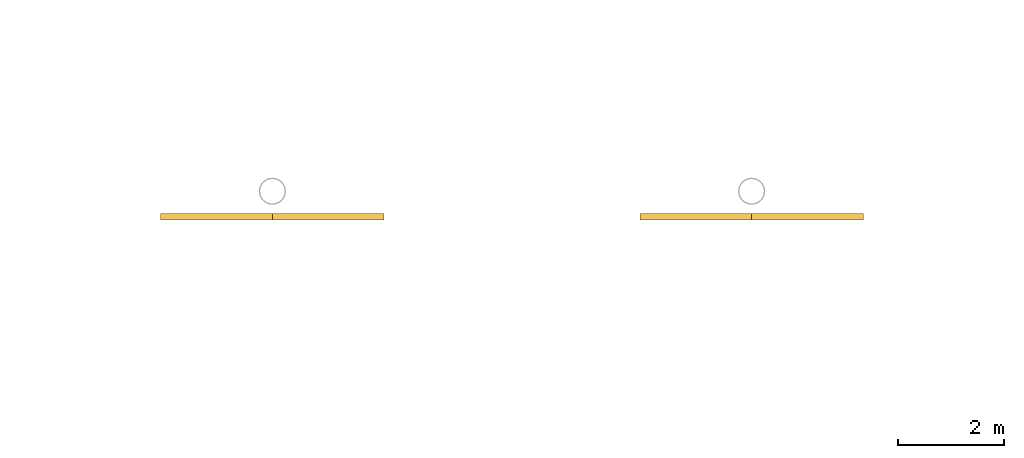
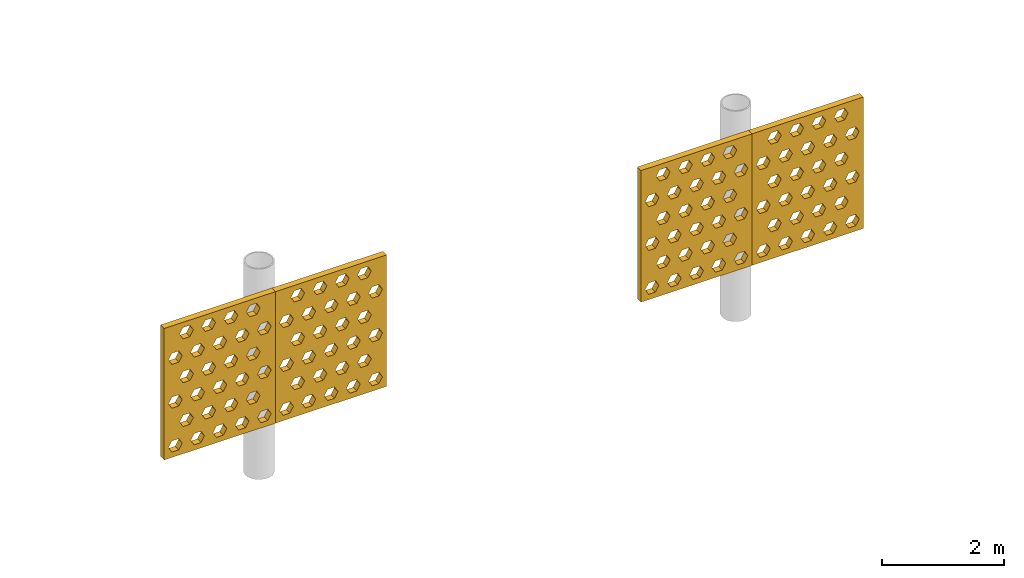
# One storey, part 108 of 123: 4 shading devices.
"""IFC4 building model written with IfcOpenShell, lengths in metres."""

import ifcopenshell
import ifcopenshell.guid

model = None  # the IFC model being written
_history = None  # IfcOwnerHistory: only IFC2X3 demands one
_inside = {}  # id of a spatial element -> (the spatial element, [elements in it])
_under = {}  # id of a project, library or spatial element -> (it, [spatial elements below it])
_declared = {}  # id of a project -> (the project, [libraries it declares])
_typed = {}  # id of a type object -> (the type object, [elements of that type])
_made_of = {}  # id of a material, layer set ... -> (it, [elements and type objects made of it])


def new_model(schema):
    """Start an empty IFC model of exactly this schema.

    Asked for "IFC4X3", IfcOpenShell would pick the latest addendum, in which some entities
    have other attributes; the version numbers below select the first issue.
    IFC2X3 requires an IfcOwnerHistory on every rooted entity: one is made here for all.
    """
    global model, _history
    if schema == "IFC4X3":
        model = ifcopenshell.file(schema_version=(4, 3, 0, 0))
    else:
        model = ifcopenshell.file(schema=schema)
    _inside.clear()
    _under.clear()
    _declared.clear()
    _typed.clear()
    _made_of.clear()
    _history = None
    if model.schema == "IFC2X3":
        org = make("IfcOrganization", Name="unknown")
        user = make(
            "IfcPersonAndOrganization",
            ThePerson=make("IfcPerson", FamilyName="unknown"),
            TheOrganization=org,
        )
        app = make(
            "IfcApplication",
            ApplicationDeveloper=org,
            Version="unknown",
            ApplicationFullName="unknown",
            ApplicationIdentifier="unknown",
        )
        _history = make(
            "IfcOwnerHistory",
            OwningUser=user,
            OwningApplication=app,
            ChangeAction="ADDED",
            CreationDate=0,
        )
    return model


def make(cls, **values):
    """One entity of the class cls with the attributes given. An attribute that is None is left unset."""
    return model.create_entity(
        cls, **{name: value for name, value in values.items() if value is not None}
    )


def rooted(cls, **values):
    """An entity with a GlobalId (a new one), such as an element, a storey or a relation."""
    return make(cls, GlobalId=ifcopenshell.guid.new(), OwnerHistory=_history, **values)


def si_unit(unit_type, name, prefix=None):
    """IfcSIUnit, for example si_unit("LENGTHUNIT", "METRE", prefix="MILLI")."""
    return make("IfcSIUnit", UnitType=unit_type, Prefix=prefix, Name=name)


def assignment(units):
    """IfcUnitAssignment: the units of a project."""
    return None if units is None else make("IfcUnitAssignment", Units=units)


def point(xyz):
    """IfcCartesianPoint."""
    return None if xyz is None else make("IfcCartesianPoint", Coordinates=xyz)


def direction(xyz):
    """IfcDirection."""
    return None if xyz is None else make("IfcDirection", DirectionRatios=xyz)


def frame(location, z_axis=None, x_axis=None):
    """IfcAxis2Placement3D, a coordinate frame: its origin and axes. An axis left out is left unset."""
    return make(
        "IfcAxis2Placement3D",
        Location=point(location),
        Axis=direction(z_axis),
        RefDirection=direction(x_axis),
    )


def origin():
    """The frame at (0, 0, 0) with its axes left unset."""
    return frame((0.0, 0.0, 0.0))


def place(relative_to, where):
    """IfcLocalPlacement: puts the frame where relative to a parent placement (None: the world)."""
    return make(
        "IfcLocalPlacement", PlacementRelTo=relative_to, RelativePlacement=where
    )


def context(
    kind, dimensions, precision=None, world=None, true_north=None, identifier=None
):
    """IfcGeometricRepresentationContext, for example the 3D "Model" context."""
    return make(
        "IfcGeometricRepresentationContext",
        ContextIdentifier=identifier,
        ContextType=kind,
        CoordinateSpaceDimension=dimensions,
        Precision=precision,
        WorldCoordinateSystem=world,
        TrueNorth=true_north,
    )


def subcontext(parent, identifier, kind, view, scale=None):
    """IfcGeometricRepresentationSubContext, for example "Body" below "Model"."""
    return make(
        "IfcGeometricRepresentationSubContext",
        ContextIdentifier=identifier,
        ContextType=kind,
        ParentContext=parent,
        TargetScale=scale,
        TargetView=view,
    )


def project(units=None, contexts=None):
    """IfcProject with its units and contexts."""
    return rooted(
        "IfcProject",
        Name="project",
        RepresentationContexts=contexts,
        UnitsInContext=assignment(units),
    )


def spatial(cls, under=None, at=None, **own):
    """A site, building, storey or space (cls), placed at a placement, below another one or the project."""
    s = rooted(cls, ObjectPlacement=at, **own)
    if under is not None:
        _under.setdefault(under.id(), (under, []))[1].append(s)
    return s


def polyline(points):
    """IfcPolyline through the points."""
    return make("IfcPolyline", Points=[point(p) for p in points])


def outline(outer, holes=None, kind="AREA"):
    """IfcArbitraryClosedProfileDef: a profile drawn as a closed curve; with holes, ...WithVoids."""
    if holes is None:
        return make("IfcArbitraryClosedProfileDef", ProfileType=kind, OuterCurve=outer)
    return make(
        "IfcArbitraryProfileDefWithVoids",
        ProfileType=kind,
        OuterCurve=outer,
        InnerCurves=holes,
    )


def extrude(swept, where, along, depth):
    """IfcExtrudedAreaSolid: the profile swept, set in the frame where, extruded along a direction by depth."""
    return make(
        "IfcExtrudedAreaSolid",
        SweptArea=swept,
        Position=where,
        ExtrudedDirection=direction(along),
        Depth=depth,
    )


def shape(context_of_items, identifier, shape_type, items):
    """IfcShapeRepresentation: the items that make up one representation, for example the "Body"."""
    return make(
        "IfcShapeRepresentation",
        ContextOfItems=context_of_items,
        RepresentationIdentifier=identifier,
        RepresentationType=shape_type,
        Items=items,
    )


def material(Name=None, Category=None):
    """IfcMaterial."""
    return make("IfcMaterial", Name=Name, Category=Category)


def layer(
    of_material, thickness, ventilated=None, Name=None, Category=None, Priority=None
):
    """IfcMaterialLayer: one layer of a wall or slab, of a material (None: an air gap)."""
    return make(
        "IfcMaterialLayer",
        Material=of_material,
        LayerThickness=thickness,
        IsVentilated=ventilated,
        Name=Name,
        Category=Category,
        Priority=Priority,
    )


def layer_set(layers, Name=None):
    """IfcMaterialLayerSet."""
    return make("IfcMaterialLayerSet", MaterialLayers=layers, LayerSetName=Name)


def made_of(thing, what):
    """Note that an element or type object is made of a material, layer set ...; save() writes the relation."""
    if what is not None:
        _made_of.setdefault(what.id(), (what, []))[1].append(thing)
    return thing


def type_object(cls, material=None, **own):
    """A type object (cls), such as IfcWallType, which elements share."""
    return made_of(rooted(cls, **own), material)


def element(
    cls,
    number,
    at=None,
    inside=None,
    cuts=None,
    type_object=None,
    material=None,
    context=None,
    identifier="Body",
    shape_type=None,
    held_by="IfcProductDefinitionShape",
    body=None,
    shapes=None,
    **own,
):
    """One element of the class cls, such as IfcWall. Its Tag is "e" and its number.

    at: its placement. inside: the storey or other place that contains it. cuts: it is an
    opening in that element (IfcRelVoidsElement). A single representation is given by context,
    identifier, shape_type and body (its items); several are given by shapes. held_by: the class
    of the entity that holds the representations. save() writes the other relations.
    """
    e = rooted(cls, Tag="e%d" % number, ObjectPlacement=at, **own)
    if body is not None:
        shapes = [shape(context, identifier, shape_type, body)]
    if shapes is not None:
        e.Representation = make(held_by, Representations=shapes)
    if inside is not None:
        _inside.setdefault(inside.id(), (inside, []))[1].append(e)
    if cuts is not None:
        rooted(
            "IfcRelVoidsElement", RelatingBuildingElement=cuts, RelatedOpeningElement=e
        )
    if type_object is not None:
        _typed.setdefault(type_object.id(), (type_object, []))[1].append(e)
    return made_of(e, material)


def aggregate(whole, parts):
    """IfcRelAggregates: a whole, such as a stair, and the parts it consists of."""
    return rooted("IfcRelAggregates", RelatingObject=whole, RelatedObjects=parts)


def save(model, path):
    """Write the relations noted so far, then the file.

    IfcRelAggregates (storeys below a building ...), IfcRelContainedInSpatialStructure (elements
    in a storey), IfcRelDefinesByType, IfcRelAssociatesMaterial and IfcRelDeclares: one each for
    every whole, place, type object, material and project.
    """
    for whole, parts in _under.values():
        aggregate(whole, parts)
    for where, things in _inside.values():
        rooted(
            "IfcRelContainedInSpatialStructure",
            RelatedElements=things,
            RelatingStructure=where,
        )
    for kind, things in _typed.values():
        rooted("IfcRelDefinesByType", RelatedObjects=things, RelatingType=kind)
    for what, things in _made_of.values():
        rooted("IfcRelAssociatesMaterial", RelatedObjects=things, RelatingMaterial=what)
    for by, libraries in _declared.values():
        rooted("IfcRelDeclares", RelatingContext=by, RelatedDefinitions=libraries)
    model.write(path)


model = new_model("IFC4")

# Units and contexts
model_context = context("Model", 3, precision=1e-05, world=origin(), true_north=direction((0.0, 1.0)))
body_context = subcontext(model_context, "Body", "Model", "MODEL_VIEW")
ifc_project = project(units=[si_unit("LENGTHUNIT", "METRE"), si_unit("AREAUNIT", "SQUARE_METRE"), si_unit("VOLUMEUNIT", "CUBIC_METRE"), si_unit("PLANEANGLEUNIT", "RADIAN"), si_unit("MASSUNIT", "GRAM", prefix="KILO")], contexts=[model_context])

# Site, building, storey
site_placement = place(None, origin())
site = spatial("IfcSite", under=ifc_project, at=site_placement, CompositionType="ELEMENT")
building_placement = place(site_placement, origin())
building = spatial("IfcBuilding", under=site, at=building_placement, Name="Baradari Gate Terminus", CompositionType="ELEMENT")
storey_placement = place(building_placement, frame((0.0, 0.0, 7.5)))
storey = spatial("IfcBuildingStorey", under=building, at=storey_placement, Name="L01", CompositionType="ELEMENT", Elevation=7.5)

# Shading devices
ifc_material = material(Name="Concrete C50/60 precast", Category="concrete")
ifc_layer = layer(ifc_material, 0.1201171875)
ifc_layer_set = layer_set([ifc_layer], Name="Concrete C50/60 precast")
shading_device_type = type_object("IfcShadingDeviceType", Name="Jali screen panel JS-2 120", PredefinedType="SHUTTER", material=ifc_layer_set)
shading_device_1_placement = place(storey_placement, frame((204.89990234375, 35.52001953125, 1.27490234375), z_axis=(0.0, 0.0, 1.0), x_axis=(1.0, 0.0, 0.0)))
element("IfcShadingDevice", 1, at=shading_device_1_placement, inside=storey, type_object=shading_device_type, Name="Jali screen panel JS-2 SC05c row 4 panel 1", PredefinedType="SHUTTER", context=body_context, shape_type="SweptSolid", body=[
    extrude(outline(polyline([(0.0, 0.0), (2.10009765625, 0.0), (2.10009765625, 2.625), (0.0, 2.625), (0.0, 0.0)]), holes=[polyline([(0.340087890625, 0.21875), (0.27490234375, 0.106201171875), (0.14501953125, 0.106201171875), (0.080078125, 0.21875), (0.14501953125, 0.33154296875), (0.27490234375, 0.33154296875), (0.340087890625, 0.21875)]), polyline([(0.760009765625, 0.21875), (0.695068359375, 0.106201171875), (0.56494140625, 0.106201171875), (0.5, 0.21875), (0.56494140625, 0.33154296875), (0.695068359375, 0.33154296875), (0.760009765625, 0.21875)]), polyline([(1.179931640625, 0.21875), (1.114990234375, 0.106201171875), (0.985107421875, 0.106201171875), (0.919921875, 0.21875), (0.985107421875, 0.33154296875), (1.114990234375, 0.33154296875), (1.179931640625, 0.21875)]), polyline([(1.60009765625, 0.21875), (1.534912109375, 0.106201171875), (1.405029296875, 0.106201171875), (1.340087890625, 0.21875), (1.405029296875, 0.33154296875), (1.534912109375, 0.33154296875), (1.60009765625, 0.21875)]), polyline([(2.02001953125, 0.21875), (1.955078125, 0.106201171875), (1.824951171875, 0.106201171875), (1.760009765625, 0.21875), (1.824951171875, 0.33154296875), (1.955078125, 0.33154296875), (2.02001953125, 0.21875)]), polyline([(0.550048828125, 0.65625), (0.485107421875, 0.543701171875), (0.35498046875, 0.543701171875), (0.2900390625, 0.65625), (0.35498046875, 0.76904296875), (0.485107421875, 0.76904296875), (0.550048828125, 0.65625)]), polyline([(0.969970703125, 0.65625), (0.905029296875, 0.543701171875), (0.77490234375, 0.543701171875), (0.7099609375, 0.65625), (0.77490234375, 0.76904296875), (0.905029296875, 0.76904296875), (0.969970703125, 0.65625)]), polyline([(1.389892578125, 0.65625), (1.324951171875, 0.543701171875), (1.195068359375, 0.543701171875), (1.1298828125, 0.65625), (1.195068359375, 0.76904296875), (1.324951171875, 0.76904296875), (1.389892578125, 0.65625)]), polyline([(1.81005859375, 0.65625), (1.7451171875, 0.543701171875), (1.614990234375, 0.543701171875), (1.550048828125, 0.65625), (1.614990234375, 0.76904296875), (1.7451171875, 0.76904296875), (1.81005859375, 0.65625)]), polyline([(0.340087890625, 1.09375), (0.27490234375, 0.981201171875), (0.14501953125, 0.981201171875), (0.080078125, 1.09375), (0.14501953125, 1.20654296875), (0.27490234375, 1.20654296875), (0.340087890625, 1.09375)]), polyline([(0.760009765625, 1.09375), (0.695068359375, 0.981201171875), (0.56494140625, 0.981201171875), (0.5, 1.09375), (0.56494140625, 1.20654296875), (0.695068359375, 1.20654296875), (0.760009765625, 1.09375)]), polyline([(1.179931640625, 1.09375), (1.114990234375, 0.981201171875), (0.985107421875, 0.981201171875), (0.919921875, 1.09375), (0.985107421875, 1.20654296875), (1.114990234375, 1.20654296875), (1.179931640625, 1.09375)]), polyline([(1.60009765625, 1.09375), (1.534912109375, 0.981201171875), (1.405029296875, 0.981201171875), (1.340087890625, 1.09375), (1.405029296875, 1.20654296875), (1.534912109375, 1.20654296875), (1.60009765625, 1.09375)]), polyline([(2.02001953125, 1.09375), (1.955078125, 0.981201171875), (1.824951171875, 0.981201171875), (1.760009765625, 1.09375), (1.824951171875, 1.20654296875), (1.955078125, 1.20654296875), (2.02001953125, 1.09375)]), polyline([(0.550048828125, 1.53125), (0.485107421875, 1.418701171875), (0.35498046875, 1.418701171875), (0.2900390625, 1.53125), (0.35498046875, 1.64404296875), (0.485107421875, 1.64404296875), (0.550048828125, 1.53125)]), polyline([(0.969970703125, 1.53125), (0.905029296875, 1.418701171875), (0.77490234375, 1.418701171875), (0.7099609375, 1.53125), (0.77490234375, 1.64404296875), (0.905029296875, 1.64404296875), (0.969970703125, 1.53125)]), polyline([(1.389892578125, 1.53125), (1.324951171875, 1.418701171875), (1.195068359375, 1.418701171875), (1.1298828125, 1.53125), (1.195068359375, 1.64404296875), (1.324951171875, 1.64404296875), (1.389892578125, 1.53125)]), polyline([(1.81005859375, 1.53125), (1.7451171875, 1.418701171875), (1.614990234375, 1.418701171875), (1.550048828125, 1.53125), (1.614990234375, 1.64404296875), (1.7451171875, 1.64404296875), (1.81005859375, 1.53125)]), polyline([(0.340087890625, 1.96875), (0.27490234375, 1.856201171875), (0.14501953125, 1.856201171875), (0.080078125, 1.96875), (0.14501953125, 2.08154296875), (0.27490234375, 2.08154296875), (0.340087890625, 1.96875)]), polyline([(0.760009765625, 1.96875), (0.695068359375, 1.856201171875), (0.56494140625, 1.856201171875), (0.5, 1.96875), (0.56494140625, 2.08154296875), (0.695068359375, 2.08154296875), (0.760009765625, 1.96875)]), polyline([(1.179931640625, 1.96875), (1.114990234375, 1.856201171875), (0.985107421875, 1.856201171875), (0.919921875, 1.96875), (0.985107421875, 2.08154296875), (1.114990234375, 2.08154296875), (1.179931640625, 1.96875)]), polyline([(1.60009765625, 1.96875), (1.534912109375, 1.856201171875), (1.405029296875, 1.856201171875), (1.340087890625, 1.96875), (1.405029296875, 2.08154296875), (1.534912109375, 2.08154296875), (1.60009765625, 1.96875)]), polyline([(2.02001953125, 1.96875), (1.955078125, 1.856201171875), (1.824951171875, 1.856201171875), (1.760009765625, 1.96875), (1.824951171875, 2.08154296875), (1.955078125, 2.08154296875), (2.02001953125, 1.96875)]), polyline([(0.550048828125, 2.40625), (0.485107421875, 2.293701171875), (0.35498046875, 2.293701171875), (0.2900390625, 2.40625), (0.35498046875, 2.51904296875), (0.485107421875, 2.51904296875), (0.550048828125, 2.40625)]), polyline([(0.969970703125, 2.40625), (0.905029296875, 2.293701171875), (0.77490234375, 2.293701171875), (0.7099609375, 2.40625), (0.77490234375, 2.51904296875), (0.905029296875, 2.51904296875), (0.969970703125, 2.40625)]), polyline([(1.389892578125, 2.40625), (1.324951171875, 2.293701171875), (1.195068359375, 2.293701171875), (1.1298828125, 2.40625), (1.195068359375, 2.51904296875), (1.324951171875, 2.51904296875), (1.389892578125, 2.40625)]), polyline([(1.81005859375, 2.40625), (1.7451171875, 2.293701171875), (1.614990234375, 2.293701171875), (1.550048828125, 2.40625), (1.614990234375, 2.51904296875), (1.7451171875, 2.51904296875), (1.81005859375, 2.40625)])]), frame((0.0, 0.06005859375, 0.0), z_axis=(0.0, -1.0, 0.0), x_axis=(1.0, 0.0, 0.0)), (0.0, 0.0, 1.0), 0.1201171875),
])
shading_device_2_placement = place(storey_placement, frame((207.0, 35.52001953125, 1.27490234375), z_axis=(0.0, 0.0, 1.0), x_axis=(1.0, 0.0, 0.0)))
element("IfcShadingDevice", 2, at=shading_device_2_placement, inside=storey, type_object=shading_device_type, Name="Jali screen panel JS-2 SC06a row 4 panel 1", PredefinedType="SHUTTER", context=body_context, shape_type="SweptSolid", body=[
    extrude(outline(polyline([(0.0, 0.0), (2.10009765625, 0.0), (2.10009765625, 2.625), (0.0, 2.625), (0.0, 0.0)]), holes=[polyline([(0.340087890625, 0.21875), (0.27490234375, 0.106201171875), (0.14501953125, 0.106201171875), (0.080078125, 0.21875), (0.14501953125, 0.33154296875), (0.27490234375, 0.33154296875), (0.340087890625, 0.21875)]), polyline([(0.760009765625, 0.21875), (0.695068359375, 0.106201171875), (0.56494140625, 0.106201171875), (0.5, 0.21875), (0.56494140625, 0.33154296875), (0.695068359375, 0.33154296875), (0.760009765625, 0.21875)]), polyline([(1.179931640625, 0.21875), (1.114990234375, 0.106201171875), (0.985107421875, 0.106201171875), (0.919921875, 0.21875), (0.985107421875, 0.33154296875), (1.114990234375, 0.33154296875), (1.179931640625, 0.21875)]), polyline([(1.60009765625, 0.21875), (1.534912109375, 0.106201171875), (1.405029296875, 0.106201171875), (1.340087890625, 0.21875), (1.405029296875, 0.33154296875), (1.534912109375, 0.33154296875), (1.60009765625, 0.21875)]), polyline([(2.02001953125, 0.21875), (1.955078125, 0.106201171875), (1.824951171875, 0.106201171875), (1.760009765625, 0.21875), (1.824951171875, 0.33154296875), (1.955078125, 0.33154296875), (2.02001953125, 0.21875)]), polyline([(0.550048828125, 0.65625), (0.485107421875, 0.543701171875), (0.35498046875, 0.543701171875), (0.2900390625, 0.65625), (0.35498046875, 0.76904296875), (0.485107421875, 0.76904296875), (0.550048828125, 0.65625)]), polyline([(0.969970703125, 0.65625), (0.905029296875, 0.543701171875), (0.77490234375, 0.543701171875), (0.7099609375, 0.65625), (0.77490234375, 0.76904296875), (0.905029296875, 0.76904296875), (0.969970703125, 0.65625)]), polyline([(1.389892578125, 0.65625), (1.324951171875, 0.543701171875), (1.195068359375, 0.543701171875), (1.1298828125, 0.65625), (1.195068359375, 0.76904296875), (1.324951171875, 0.76904296875), (1.389892578125, 0.65625)]), polyline([(1.81005859375, 0.65625), (1.7451171875, 0.543701171875), (1.614990234375, 0.543701171875), (1.550048828125, 0.65625), (1.614990234375, 0.76904296875), (1.7451171875, 0.76904296875), (1.81005859375, 0.65625)]), polyline([(0.340087890625, 1.09375), (0.27490234375, 0.981201171875), (0.14501953125, 0.981201171875), (0.080078125, 1.09375), (0.14501953125, 1.20654296875), (0.27490234375, 1.20654296875), (0.340087890625, 1.09375)]), polyline([(0.760009765625, 1.09375), (0.695068359375, 0.981201171875), (0.56494140625, 0.981201171875), (0.5, 1.09375), (0.56494140625, 1.20654296875), (0.695068359375, 1.20654296875), (0.760009765625, 1.09375)]), polyline([(1.179931640625, 1.09375), (1.114990234375, 0.981201171875), (0.985107421875, 0.981201171875), (0.919921875, 1.09375), (0.985107421875, 1.20654296875), (1.114990234375, 1.20654296875), (1.179931640625, 1.09375)]), polyline([(1.60009765625, 1.09375), (1.534912109375, 0.981201171875), (1.405029296875, 0.981201171875), (1.340087890625, 1.09375), (1.405029296875, 1.20654296875), (1.534912109375, 1.20654296875), (1.60009765625, 1.09375)]), polyline([(2.02001953125, 1.09375), (1.955078125, 0.981201171875), (1.824951171875, 0.981201171875), (1.760009765625, 1.09375), (1.824951171875, 1.20654296875), (1.955078125, 1.20654296875), (2.02001953125, 1.09375)]), polyline([(0.550048828125, 1.53125), (0.485107421875, 1.418701171875), (0.35498046875, 1.418701171875), (0.2900390625, 1.53125), (0.35498046875, 1.64404296875), (0.485107421875, 1.64404296875), (0.550048828125, 1.53125)]), polyline([(0.969970703125, 1.53125), (0.905029296875, 1.418701171875), (0.77490234375, 1.418701171875), (0.7099609375, 1.53125), (0.77490234375, 1.64404296875), (0.905029296875, 1.64404296875), (0.969970703125, 1.53125)]), polyline([(1.389892578125, 1.53125), (1.324951171875, 1.418701171875), (1.195068359375, 1.418701171875), (1.1298828125, 1.53125), (1.195068359375, 1.64404296875), (1.324951171875, 1.64404296875), (1.389892578125, 1.53125)]), polyline([(1.81005859375, 1.53125), (1.7451171875, 1.418701171875), (1.614990234375, 1.418701171875), (1.550048828125, 1.53125), (1.614990234375, 1.64404296875), (1.7451171875, 1.64404296875), (1.81005859375, 1.53125)]), polyline([(0.340087890625, 1.96875), (0.27490234375, 1.856201171875), (0.14501953125, 1.856201171875), (0.080078125, 1.96875), (0.14501953125, 2.08154296875), (0.27490234375, 2.08154296875), (0.340087890625, 1.96875)]), polyline([(0.760009765625, 1.96875), (0.695068359375, 1.856201171875), (0.56494140625, 1.856201171875), (0.5, 1.96875), (0.56494140625, 2.08154296875), (0.695068359375, 2.08154296875), (0.760009765625, 1.96875)]), polyline([(1.179931640625, 1.96875), (1.114990234375, 1.856201171875), (0.985107421875, 1.856201171875), (0.919921875, 1.96875), (0.985107421875, 2.08154296875), (1.114990234375, 2.08154296875), (1.179931640625, 1.96875)]), polyline([(1.60009765625, 1.96875), (1.534912109375, 1.856201171875), (1.405029296875, 1.856201171875), (1.340087890625, 1.96875), (1.405029296875, 2.08154296875), (1.534912109375, 2.08154296875), (1.60009765625, 1.96875)]), polyline([(2.02001953125, 1.96875), (1.955078125, 1.856201171875), (1.824951171875, 1.856201171875), (1.760009765625, 1.96875), (1.824951171875, 2.08154296875), (1.955078125, 2.08154296875), (2.02001953125, 1.96875)]), polyline([(0.550048828125, 2.40625), (0.485107421875, 2.293701171875), (0.35498046875, 2.293701171875), (0.2900390625, 2.40625), (0.35498046875, 2.51904296875), (0.485107421875, 2.51904296875), (0.550048828125, 2.40625)]), polyline([(0.969970703125, 2.40625), (0.905029296875, 2.293701171875), (0.77490234375, 2.293701171875), (0.7099609375, 2.40625), (0.77490234375, 2.51904296875), (0.905029296875, 2.51904296875), (0.969970703125, 2.40625)]), polyline([(1.389892578125, 2.40625), (1.324951171875, 2.293701171875), (1.195068359375, 2.293701171875), (1.1298828125, 2.40625), (1.195068359375, 2.51904296875), (1.324951171875, 2.51904296875), (1.389892578125, 2.40625)]), polyline([(1.81005859375, 2.40625), (1.7451171875, 2.293701171875), (1.614990234375, 2.293701171875), (1.550048828125, 2.40625), (1.614990234375, 2.51904296875), (1.7451171875, 2.51904296875), (1.81005859375, 2.40625)])]), frame((0.0, 0.06005859375, 0.0), z_axis=(0.0, -1.0, 0.0), x_axis=(1.0, 0.0, 0.0)), (0.0, 0.0, 1.0), 0.1201171875),
])
shading_device_3_placement = place(storey_placement, frame((213.89990234375, 35.52001953125, 1.27490234375), z_axis=(0.0, 0.0, 1.0), x_axis=(1.0, 0.0, 0.0)))
element("IfcShadingDevice", 3, at=shading_device_3_placement, inside=storey, type_object=shading_device_type, Name="Jali screen panel JS-2 SC06c row 4 panel 1", PredefinedType="SHUTTER", context=body_context, shape_type="SweptSolid", body=[
    extrude(outline(polyline([(0.0, 0.0), (2.10009765625, 0.0), (2.10009765625, 2.625), (0.0, 2.625), (0.0, 0.0)]), holes=[polyline([(0.340087890625, 0.21875), (0.27490234375, 0.106201171875), (0.14501953125, 0.106201171875), (0.080078125, 0.21875), (0.14501953125, 0.33154296875), (0.27490234375, 0.33154296875), (0.340087890625, 0.21875)]), polyline([(0.760009765625, 0.21875), (0.695068359375, 0.106201171875), (0.56494140625, 0.106201171875), (0.5, 0.21875), (0.56494140625, 0.33154296875), (0.695068359375, 0.33154296875), (0.760009765625, 0.21875)]), polyline([(1.179931640625, 0.21875), (1.114990234375, 0.106201171875), (0.985107421875, 0.106201171875), (0.919921875, 0.21875), (0.985107421875, 0.33154296875), (1.114990234375, 0.33154296875), (1.179931640625, 0.21875)]), polyline([(1.60009765625, 0.21875), (1.534912109375, 0.106201171875), (1.405029296875, 0.106201171875), (1.340087890625, 0.21875), (1.405029296875, 0.33154296875), (1.534912109375, 0.33154296875), (1.60009765625, 0.21875)]), polyline([(2.02001953125, 0.21875), (1.955078125, 0.106201171875), (1.824951171875, 0.106201171875), (1.760009765625, 0.21875), (1.824951171875, 0.33154296875), (1.955078125, 0.33154296875), (2.02001953125, 0.21875)]), polyline([(0.550048828125, 0.65625), (0.485107421875, 0.543701171875), (0.35498046875, 0.543701171875), (0.2900390625, 0.65625), (0.35498046875, 0.76904296875), (0.485107421875, 0.76904296875), (0.550048828125, 0.65625)]), polyline([(0.969970703125, 0.65625), (0.905029296875, 0.543701171875), (0.77490234375, 0.543701171875), (0.7099609375, 0.65625), (0.77490234375, 0.76904296875), (0.905029296875, 0.76904296875), (0.969970703125, 0.65625)]), polyline([(1.389892578125, 0.65625), (1.324951171875, 0.543701171875), (1.195068359375, 0.543701171875), (1.1298828125, 0.65625), (1.195068359375, 0.76904296875), (1.324951171875, 0.76904296875), (1.389892578125, 0.65625)]), polyline([(1.81005859375, 0.65625), (1.7451171875, 0.543701171875), (1.614990234375, 0.543701171875), (1.550048828125, 0.65625), (1.614990234375, 0.76904296875), (1.7451171875, 0.76904296875), (1.81005859375, 0.65625)]), polyline([(0.340087890625, 1.09375), (0.27490234375, 0.981201171875), (0.14501953125, 0.981201171875), (0.080078125, 1.09375), (0.14501953125, 1.20654296875), (0.27490234375, 1.20654296875), (0.340087890625, 1.09375)]), polyline([(0.760009765625, 1.09375), (0.695068359375, 0.981201171875), (0.56494140625, 0.981201171875), (0.5, 1.09375), (0.56494140625, 1.20654296875), (0.695068359375, 1.20654296875), (0.760009765625, 1.09375)]), polyline([(1.179931640625, 1.09375), (1.114990234375, 0.981201171875), (0.985107421875, 0.981201171875), (0.919921875, 1.09375), (0.985107421875, 1.20654296875), (1.114990234375, 1.20654296875), (1.179931640625, 1.09375)]), polyline([(1.60009765625, 1.09375), (1.534912109375, 0.981201171875), (1.405029296875, 0.981201171875), (1.340087890625, 1.09375), (1.405029296875, 1.20654296875), (1.534912109375, 1.20654296875), (1.60009765625, 1.09375)]), polyline([(2.02001953125, 1.09375), (1.955078125, 0.981201171875), (1.824951171875, 0.981201171875), (1.760009765625, 1.09375), (1.824951171875, 1.20654296875), (1.955078125, 1.20654296875), (2.02001953125, 1.09375)]), polyline([(0.550048828125, 1.53125), (0.485107421875, 1.418701171875), (0.35498046875, 1.418701171875), (0.2900390625, 1.53125), (0.35498046875, 1.64404296875), (0.485107421875, 1.64404296875), (0.550048828125, 1.53125)]), polyline([(0.969970703125, 1.53125), (0.905029296875, 1.418701171875), (0.77490234375, 1.418701171875), (0.7099609375, 1.53125), (0.77490234375, 1.64404296875), (0.905029296875, 1.64404296875), (0.969970703125, 1.53125)]), polyline([(1.389892578125, 1.53125), (1.324951171875, 1.418701171875), (1.195068359375, 1.418701171875), (1.1298828125, 1.53125), (1.195068359375, 1.64404296875), (1.324951171875, 1.64404296875), (1.389892578125, 1.53125)]), polyline([(1.81005859375, 1.53125), (1.7451171875, 1.418701171875), (1.614990234375, 1.418701171875), (1.550048828125, 1.53125), (1.614990234375, 1.64404296875), (1.7451171875, 1.64404296875), (1.81005859375, 1.53125)]), polyline([(0.340087890625, 1.96875), (0.27490234375, 1.856201171875), (0.14501953125, 1.856201171875), (0.080078125, 1.96875), (0.14501953125, 2.08154296875), (0.27490234375, 2.08154296875), (0.340087890625, 1.96875)]), polyline([(0.760009765625, 1.96875), (0.695068359375, 1.856201171875), (0.56494140625, 1.856201171875), (0.5, 1.96875), (0.56494140625, 2.08154296875), (0.695068359375, 2.08154296875), (0.760009765625, 1.96875)]), polyline([(1.179931640625, 1.96875), (1.114990234375, 1.856201171875), (0.985107421875, 1.856201171875), (0.919921875, 1.96875), (0.985107421875, 2.08154296875), (1.114990234375, 2.08154296875), (1.179931640625, 1.96875)]), polyline([(1.60009765625, 1.96875), (1.534912109375, 1.856201171875), (1.405029296875, 1.856201171875), (1.340087890625, 1.96875), (1.405029296875, 2.08154296875), (1.534912109375, 2.08154296875), (1.60009765625, 1.96875)]), polyline([(2.02001953125, 1.96875), (1.955078125, 1.856201171875), (1.824951171875, 1.856201171875), (1.760009765625, 1.96875), (1.824951171875, 2.08154296875), (1.955078125, 2.08154296875), (2.02001953125, 1.96875)]), polyline([(0.550048828125, 2.40625), (0.485107421875, 2.293701171875), (0.35498046875, 2.293701171875), (0.2900390625, 2.40625), (0.35498046875, 2.51904296875), (0.485107421875, 2.51904296875), (0.550048828125, 2.40625)]), polyline([(0.969970703125, 2.40625), (0.905029296875, 2.293701171875), (0.77490234375, 2.293701171875), (0.7099609375, 2.40625), (0.77490234375, 2.51904296875), (0.905029296875, 2.51904296875), (0.969970703125, 2.40625)]), polyline([(1.389892578125, 2.40625), (1.324951171875, 2.293701171875), (1.195068359375, 2.293701171875), (1.1298828125, 2.40625), (1.195068359375, 2.51904296875), (1.324951171875, 2.51904296875), (1.389892578125, 2.40625)]), polyline([(1.81005859375, 2.40625), (1.7451171875, 2.293701171875), (1.614990234375, 2.293701171875), (1.550048828125, 2.40625), (1.614990234375, 2.51904296875), (1.7451171875, 2.51904296875), (1.81005859375, 2.40625)])]), frame((0.0, 0.06005859375, 0.0), z_axis=(0.0, -1.0, 0.0), x_axis=(1.0, 0.0, 0.0)), (0.0, 0.0, 1.0), 0.1201171875),
])
shading_device_4_placement = place(storey_placement, frame((216.0, 35.52001953125, 1.27490234375), z_axis=(0.0, 0.0, 1.0), x_axis=(1.0, 0.0, 0.0)))
element("IfcShadingDevice", 4, at=shading_device_4_placement, inside=storey, type_object=shading_device_type, Name="Jali screen panel JS-2 SC07a row 4 panel 1", PredefinedType="SHUTTER", context=body_context, shape_type="SweptSolid", body=[
    extrude(outline(polyline([(0.0, 0.0), (2.10009765625, 0.0), (2.10009765625, 2.625), (0.0, 2.625), (0.0, 0.0)]), holes=[polyline([(0.340087890625, 0.21875), (0.27490234375, 0.106201171875), (0.14501953125, 0.106201171875), (0.080078125, 0.21875), (0.14501953125, 0.33154296875), (0.27490234375, 0.33154296875), (0.340087890625, 0.21875)]), polyline([(0.760009765625, 0.21875), (0.695068359375, 0.106201171875), (0.56494140625, 0.106201171875), (0.5, 0.21875), (0.56494140625, 0.33154296875), (0.695068359375, 0.33154296875), (0.760009765625, 0.21875)]), polyline([(1.179931640625, 0.21875), (1.114990234375, 0.106201171875), (0.985107421875, 0.106201171875), (0.919921875, 0.21875), (0.985107421875, 0.33154296875), (1.114990234375, 0.33154296875), (1.179931640625, 0.21875)]), polyline([(1.60009765625, 0.21875), (1.534912109375, 0.106201171875), (1.405029296875, 0.106201171875), (1.340087890625, 0.21875), (1.405029296875, 0.33154296875), (1.534912109375, 0.33154296875), (1.60009765625, 0.21875)]), polyline([(2.02001953125, 0.21875), (1.955078125, 0.106201171875), (1.824951171875, 0.106201171875), (1.760009765625, 0.21875), (1.824951171875, 0.33154296875), (1.955078125, 0.33154296875), (2.02001953125, 0.21875)]), polyline([(0.550048828125, 0.65625), (0.485107421875, 0.543701171875), (0.35498046875, 0.543701171875), (0.2900390625, 0.65625), (0.35498046875, 0.76904296875), (0.485107421875, 0.76904296875), (0.550048828125, 0.65625)]), polyline([(0.969970703125, 0.65625), (0.905029296875, 0.543701171875), (0.77490234375, 0.543701171875), (0.7099609375, 0.65625), (0.77490234375, 0.76904296875), (0.905029296875, 0.76904296875), (0.969970703125, 0.65625)]), polyline([(1.389892578125, 0.65625), (1.324951171875, 0.543701171875), (1.195068359375, 0.543701171875), (1.1298828125, 0.65625), (1.195068359375, 0.76904296875), (1.324951171875, 0.76904296875), (1.389892578125, 0.65625)]), polyline([(1.81005859375, 0.65625), (1.7451171875, 0.543701171875), (1.614990234375, 0.543701171875), (1.550048828125, 0.65625), (1.614990234375, 0.76904296875), (1.7451171875, 0.76904296875), (1.81005859375, 0.65625)]), polyline([(0.340087890625, 1.09375), (0.27490234375, 0.981201171875), (0.14501953125, 0.981201171875), (0.080078125, 1.09375), (0.14501953125, 1.20654296875), (0.27490234375, 1.20654296875), (0.340087890625, 1.09375)]), polyline([(0.760009765625, 1.09375), (0.695068359375, 0.981201171875), (0.56494140625, 0.981201171875), (0.5, 1.09375), (0.56494140625, 1.20654296875), (0.695068359375, 1.20654296875), (0.760009765625, 1.09375)]), polyline([(1.179931640625, 1.09375), (1.114990234375, 0.981201171875), (0.985107421875, 0.981201171875), (0.919921875, 1.09375), (0.985107421875, 1.20654296875), (1.114990234375, 1.20654296875), (1.179931640625, 1.09375)]), polyline([(1.60009765625, 1.09375), (1.534912109375, 0.981201171875), (1.405029296875, 0.981201171875), (1.340087890625, 1.09375), (1.405029296875, 1.20654296875), (1.534912109375, 1.20654296875), (1.60009765625, 1.09375)]), polyline([(2.02001953125, 1.09375), (1.955078125, 0.981201171875), (1.824951171875, 0.981201171875), (1.760009765625, 1.09375), (1.824951171875, 1.20654296875), (1.955078125, 1.20654296875), (2.02001953125, 1.09375)]), polyline([(0.550048828125, 1.53125), (0.485107421875, 1.418701171875), (0.35498046875, 1.418701171875), (0.2900390625, 1.53125), (0.35498046875, 1.64404296875), (0.485107421875, 1.64404296875), (0.550048828125, 1.53125)]), polyline([(0.969970703125, 1.53125), (0.905029296875, 1.418701171875), (0.77490234375, 1.418701171875), (0.7099609375, 1.53125), (0.77490234375, 1.64404296875), (0.905029296875, 1.64404296875), (0.969970703125, 1.53125)]), polyline([(1.389892578125, 1.53125), (1.324951171875, 1.418701171875), (1.195068359375, 1.418701171875), (1.1298828125, 1.53125), (1.195068359375, 1.64404296875), (1.324951171875, 1.64404296875), (1.389892578125, 1.53125)]), polyline([(1.81005859375, 1.53125), (1.7451171875, 1.418701171875), (1.614990234375, 1.418701171875), (1.550048828125, 1.53125), (1.614990234375, 1.64404296875), (1.7451171875, 1.64404296875), (1.81005859375, 1.53125)]), polyline([(0.340087890625, 1.96875), (0.27490234375, 1.856201171875), (0.14501953125, 1.856201171875), (0.080078125, 1.96875), (0.14501953125, 2.08154296875), (0.27490234375, 2.08154296875), (0.340087890625, 1.96875)]), polyline([(0.760009765625, 1.96875), (0.695068359375, 1.856201171875), (0.56494140625, 1.856201171875), (0.5, 1.96875), (0.56494140625, 2.08154296875), (0.695068359375, 2.08154296875), (0.760009765625, 1.96875)]), polyline([(1.179931640625, 1.96875), (1.114990234375, 1.856201171875), (0.985107421875, 1.856201171875), (0.919921875, 1.96875), (0.985107421875, 2.08154296875), (1.114990234375, 2.08154296875), (1.179931640625, 1.96875)]), polyline([(1.60009765625, 1.96875), (1.534912109375, 1.856201171875), (1.405029296875, 1.856201171875), (1.340087890625, 1.96875), (1.405029296875, 2.08154296875), (1.534912109375, 2.08154296875), (1.60009765625, 1.96875)]), polyline([(2.02001953125, 1.96875), (1.955078125, 1.856201171875), (1.824951171875, 1.856201171875), (1.760009765625, 1.96875), (1.824951171875, 2.08154296875), (1.955078125, 2.08154296875), (2.02001953125, 1.96875)]), polyline([(0.550048828125, 2.40625), (0.485107421875, 2.293701171875), (0.35498046875, 2.293701171875), (0.2900390625, 2.40625), (0.35498046875, 2.51904296875), (0.485107421875, 2.51904296875), (0.550048828125, 2.40625)]), polyline([(0.969970703125, 2.40625), (0.905029296875, 2.293701171875), (0.77490234375, 2.293701171875), (0.7099609375, 2.40625), (0.77490234375, 2.51904296875), (0.905029296875, 2.51904296875), (0.969970703125, 2.40625)]), polyline([(1.389892578125, 2.40625), (1.324951171875, 2.293701171875), (1.195068359375, 2.293701171875), (1.1298828125, 2.40625), (1.195068359375, 2.51904296875), (1.324951171875, 2.51904296875), (1.389892578125, 2.40625)]), polyline([(1.81005859375, 2.40625), (1.7451171875, 2.293701171875), (1.614990234375, 2.293701171875), (1.550048828125, 2.40625), (1.614990234375, 2.51904296875), (1.7451171875, 2.51904296875), (1.81005859375, 2.40625)])]), frame((0.0, 0.06005859375, 0.0), z_axis=(0.0, -1.0, 0.0), x_axis=(1.0, 0.0, 0.0)), (0.0, 0.0, 1.0), 0.1201171875),
])

save(model, "model.ifc")
